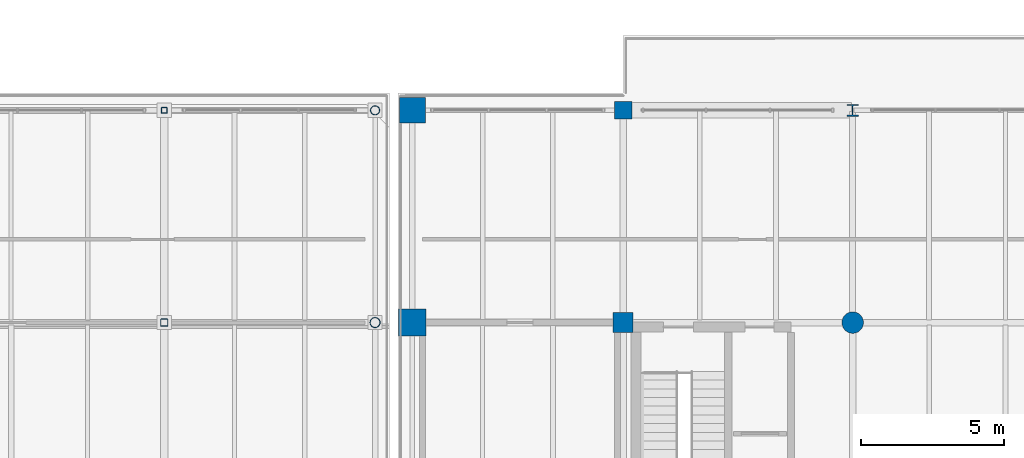
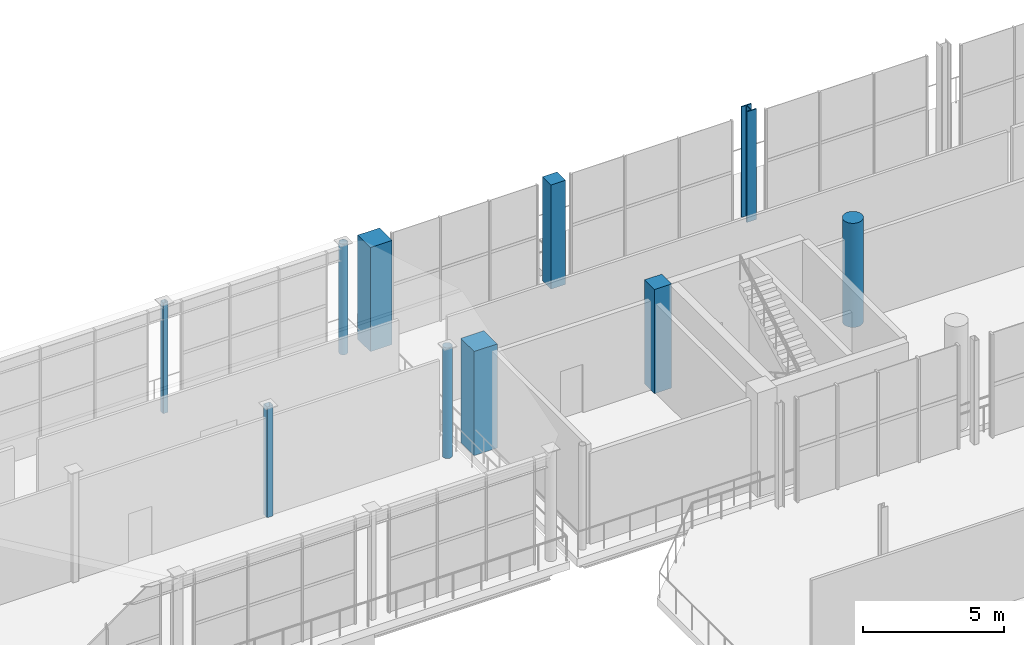
# One storey, part 21 of 93: 10 columns.
"""IFC4 building model written with IfcOpenShell, lengths in metres."""

from ifc_helpers import new_model, si_unit, direction, frame, origin, origin_2d, place, context, subcontext, project, spatial, rectangle, hollow_rectangle, circle, hollow_circle, i_section, extrude, material, material_profile, profile_set, type_object, element, save


model = new_model("IFC4")

# Units and contexts
model_context = context("Model", 3, precision=1e-05, world=origin(), true_north=direction((0.0, 1.0)))
body_context = subcontext(model_context, "Body", "Model", "MODEL_VIEW")
ifc_project = project(units=[si_unit("LENGTHUNIT", "METRE"), si_unit("AREAUNIT", "SQUARE_METRE"), si_unit("VOLUMEUNIT", "CUBIC_METRE"), si_unit("PLANEANGLEUNIT", "RADIAN"), si_unit("MASSUNIT", "GRAM", prefix="KILO")], contexts=[model_context])

# Site, building, storey
site_placement = place(None, origin())
site = spatial("IfcSite", under=ifc_project, at=site_placement, CompositionType="ELEMENT")
building_placement = place(site_placement, origin())
building = spatial("IfcBuilding", under=site, at=building_placement, Name="Brisemont Oceanarium", CompositionType="ELEMENT")
storey_placement = place(building_placement, frame((0.0, 0.0, 5.39990234375)))
storey = spatial("IfcBuildingStorey", under=building, at=storey_placement, Name="L01", CompositionType="ELEMENT", Elevation=5.39990234375)

# Columns
ifc_material_1 = material(Name="Structural Steel ASTM A500 Gr.C", Category="steel")
ifc_material_profile_1 = material_profile(ifc_material_1, hollow_circle(Radius=0.162109375, WallThickness=0.01171875, at=origin_2d()), Name="HSS12.750X0.500")
ifc_profile_set_1 = profile_set([ifc_material_profile_1], Name="Structural Steel ASTM A500 Gr.C")
column_type_1 = type_object("IfcColumnType", Name="COL-CHS12", PredefinedType="COLUMN", material=ifc_profile_set_1)
column_1_placement = place(storey_placement, frame((55.35009765625, 95.39990234375, 0.0), z_axis=(0.0, 0.0, 1.0), x_axis=(0.0, 1.0, 0.0)))
element("IfcColumn", 1, at=column_1_placement, inside=storey, type_object=column_type_1, Name="V7W L01 column (5,2)", PredefinedType="COLUMN", context=body_context, shape_type="SweptSolid", body=[
    extrude(hollow_circle(Radius=0.162109375, WallThickness=0.01171875, at=origin_2d()), origin(), (0.0, 0.0, 1.0), 4.800048828125),
])
ifc_material_2 = material(Name="Structural Steel ASTM A500 Gr.C", Category="steel")
ifc_material_profile_2 = material_profile(ifc_material_2, hollow_circle(Radius=0.177978515625, WallThickness=0.01171875, at=origin_2d()), Name="HSS14.000X0.500")
ifc_profile_set_2 = profile_set([ifc_material_profile_2], Name="Structural Steel ASTM A500 Gr.C")
column_type_2 = type_object("IfcColumnType", Name="COL-CHS14", PredefinedType="COLUMN", material=ifc_profile_set_2)
column_2_placement = place(storey_placement, frame((55.35009765625, 88.0, 0.0), z_axis=(0.0, 0.0, 1.0), x_axis=(1.0, 0.0, 0.0)))
element("IfcColumn", 2, at=column_2_placement, inside=storey, type_object=column_type_2, Name="V7W L01 column (5,1)", PredefinedType="COLUMN", context=body_context, shape_type="SweptSolid", body=[
    extrude(hollow_circle(Radius=0.177978515625, WallThickness=0.01171875, at=origin_2d()), origin(), (0.0, 0.0, 1.0), 4.800048828125),
])
ifc_material_3 = material(Name="Structural Steel ASTM A500 Gr.C", Category="steel")
ifc_material_profile_3 = material_profile(ifc_material_3, hollow_rectangle(XDim=0.25390625, YDim=0.25390625, WallThickness=0.01171875, InnerFilletRadius=0.01220703125, OuterFilletRadius=0.02392578125, at=origin_2d()), Name="HSS10X10X1/2")
ifc_profile_set_3 = profile_set([ifc_material_profile_3], Name="Structural Steel ASTM A500 Gr.C")
column_type_3 = type_object("IfcColumnType", Name="COL-HSS10X10", PredefinedType="COLUMN", material=ifc_profile_set_3)
column_3_placement = place(storey_placement, frame((48.0, 88.0, 0.0), z_axis=(0.0, 0.0, 1.0), x_axis=(0.0, 1.0, 0.0)))
element("IfcColumn", 3, at=column_3_placement, inside=storey, type_object=column_type_3, Name="V7W L01 column (4,1)", PredefinedType="COLUMN", context=body_context, shape_type="SweptSolid", body=[
    extrude(hollow_rectangle(XDim=0.25390625, YDim=0.25390625, WallThickness=0.01171875, InnerFilletRadius=0.01220703125, OuterFilletRadius=0.02392578125, at=origin_2d()), origin(), (0.0, 0.0, 1.0), 4.800048828125),
])
ifc_material_4 = material(Name="Structural Steel ASTM A500 Gr.C", Category="steel")
ifc_material_profile_4 = material_profile(ifc_material_4, hollow_rectangle(XDim=0.202880859375, YDim=0.202880859375, WallThickness=0.0087890625, InnerFilletRadius=0.009033203125, OuterFilletRadius=0.01806640625, at=origin_2d()), Name="HSS8X8X3/8")
ifc_profile_set_4 = profile_set([ifc_material_profile_4], Name="Structural Steel ASTM A500 Gr.C")
column_type_4 = type_object("IfcColumnType", Name="COL-HSS8X8", PredefinedType="COLUMN", material=ifc_profile_set_4)
column_4_placement = place(storey_placement, frame((48.0, 95.39990234375, 0.0), z_axis=(0.0, 0.0, 1.0), x_axis=(1.0, 0.0, 0.0)))
element("IfcColumn", 4, at=column_4_placement, inside=storey, type_object=column_type_4, Name="V7W L01 column (4,2)", PredefinedType="COLUMN", context=body_context, shape_type="SweptSolid", body=[
    extrude(hollow_rectangle(XDim=0.202880859375, YDim=0.202880859375, WallThickness=0.0087890625, InnerFilletRadius=0.009033203125, OuterFilletRadius=0.01806640625, at=origin_2d()), origin(), (0.0, 0.0, 1.0), 4.800048828125),
])
ifc_material_5 = material(Name="Concrete C35/45", Category="concrete")
ifc_material_profile_5 = material_profile(ifc_material_5, rectangle(XDim=0.60009765625, YDim=0.60009765625, at=origin_2d()), Name="RC-COL-600X600")
ifc_profile_set_5 = profile_set([ifc_material_profile_5], Name="Concrete C35/45")
column_type_5 = type_object("IfcColumnType", Name="COL-RC600", PredefinedType="COLUMN", material=ifc_profile_set_5)
column_5_placement = place(storey_placement, frame((64.0, 95.39990234375, 0.0), z_axis=(0.0, 0.0, 1.0), x_axis=(0.0, 1.0, 0.0)))
element("IfcColumn", 5, at=column_5_placement, inside=storey, type_object=column_type_5, Name="V7E L01 column (1,2)", PredefinedType="COLUMN", context=body_context, shape_type="SweptSolid", body=[
    extrude(rectangle(XDim=0.60009765625, YDim=0.60009765625, at=origin_2d()), origin(), (0.0, 0.0, 1.0), 4.52001953125),
])
ifc_material_6 = material(Name="Concrete C35/45", Category="concrete")
ifc_material_profile_6 = material_profile(ifc_material_6, rectangle(XDim=0.699951171875, YDim=0.699951171875, at=origin_2d()), Name="RC-COL-700X700")
ifc_profile_set_6 = profile_set([ifc_material_profile_6], Name="Concrete C35/45")
column_type_6 = type_object("IfcColumnType", Name="COL-RC700", PredefinedType="COLUMN", material=ifc_profile_set_6)
column_6_placement = place(storey_placement, frame((64.0, 88.0, 0.0), z_axis=(0.0, 0.0, 1.0), x_axis=(1.0, 0.0, 0.0)))
element("IfcColumn", 6, at=column_6_placement, inside=storey, type_object=column_type_6, Name="V7E L01 column (1,1)", PredefinedType="COLUMN", context=body_context, shape_type="SweptSolid", body=[
    extrude(rectangle(XDim=0.699951171875, YDim=0.699951171875, at=origin_2d()), origin(), (0.0, 0.0, 1.0), 4.52001953125),
])
ifc_material_7 = material(Name="Concrete C40/50", Category="concrete")
ifc_material_profile_7 = material_profile(ifc_material_7, rectangle(XDim=0.89990234375, YDim=0.89990234375, at=origin_2d()), Name="RC-COL-900X900")
ifc_profile_set_7 = profile_set([ifc_material_profile_7], Name="Concrete C40/50")
column_type_7 = type_object("IfcColumnType", Name="COL-RC900", PredefinedType="COLUMN", material=ifc_profile_set_7)
column_7_placement = place(storey_placement, frame((56.64990234375, 95.39990234375, 0.0), z_axis=(0.0, 0.0, 1.0), x_axis=(1.0, 0.0, 0.0)))
element("IfcColumn", 7, at=column_7_placement, inside=storey, type_object=column_type_7, Name="V7E L01 column (0,2)", PredefinedType="COLUMN", context=body_context, shape_type="SweptSolid", body=[
    extrude(rectangle(XDim=0.89990234375, YDim=0.89990234375, at=origin_2d()), origin(), (0.0, 0.0, 1.0), 4.52001953125),
])
ifc_material_8 = material(Name="Concrete C40/50", Category="concrete")
ifc_material_profile_8 = material_profile(ifc_material_8, rectangle(XDim=0.949951171875, YDim=0.949951171875, at=origin_2d()), Name="RC-COL-950X950")
ifc_profile_set_8 = profile_set([ifc_material_profile_8], Name="Concrete C40/50")
column_type_8 = type_object("IfcColumnType", Name="COL-RC950", PredefinedType="COLUMN", material=ifc_profile_set_8)
column_8_placement = place(storey_placement, frame((56.64990234375, 88.0, 0.0), z_axis=(0.0, 0.0, 1.0), x_axis=(0.0, 1.0, 0.0)))
element("IfcColumn", 8, at=column_8_placement, inside=storey, type_object=column_type_8, Name="V7E L01 column (0,1)", PredefinedType="COLUMN", context=body_context, shape_type="SweptSolid", body=[
    extrude(rectangle(XDim=0.949951171875, YDim=0.949951171875, at=origin_2d()), origin(), (0.0, 0.0, 1.0), 4.52001953125),
])
ifc_material_9 = material(Name="Concrete C40/50", Category="concrete")
ifc_material_profile_9 = material_profile(ifc_material_9, circle(Radius=0.375, at=origin_2d()), Name="RC-COL-D750")
ifc_profile_set_9 = profile_set([ifc_material_profile_9], Name="Concrete C40/50")
column_type_9 = type_object("IfcColumnType", Name="COL-RCD750", PredefinedType="COLUMN", material=ifc_profile_set_9)
column_9_placement = place(storey_placement, frame((72.0, 88.0, 0.0), z_axis=(0.0, 0.0, 1.0), x_axis=(0.0, 1.0, 0.0)))
element("IfcColumn", 9, at=column_9_placement, inside=storey, type_object=column_type_9, Name="V7E L01 column (2,1)", PredefinedType="COLUMN", context=body_context, shape_type="SweptSolid", body=[
    extrude(circle(Radius=0.375, at=origin_2d()), origin(), (0.0, 0.0, 1.0), 4.52001953125),
])
ifc_material_10 = material(Name="Structural Steel ASTM A992 Gr.50", Category="steel")
ifc_material_profile_10 = material_profile(ifc_material_10, i_section(OverallWidth=0.406005859375, OverallDepth=0.416015625, WebThickness=0.02978515625, FlangeThickness=0.048095703125, FilletRadius=0.014892578125, at=origin_2d()), Name="W14X257")
ifc_profile_set_10 = profile_set([ifc_material_profile_10], Name="Structural Steel ASTM A992 Gr.50")
column_type_10 = type_object("IfcColumnType", Name="COL-W14X257", PredefinedType="COLUMN", material=ifc_profile_set_10)
column_10_placement = place(storey_placement, frame((72.0, 95.39990234375, 0.0), z_axis=(0.0, 0.0, 1.0), x_axis=(1.0, 0.0, 0.0)))
element("IfcColumn", 10, at=column_10_placement, inside=storey, type_object=column_type_10, Name="V7E L01 column (2,2)", PredefinedType="COLUMN", context=body_context, shape_type="SweptSolid", body=[
    extrude(i_section(OverallWidth=0.406005859375, OverallDepth=0.416015625, WebThickness=0.02978515625, FlangeThickness=0.048095703125, FilletRadius=0.014892578125, at=origin_2d()), origin(), (0.0, 0.0, 1.0), 4.800048828125),
])

save(model, "model.ifc")
